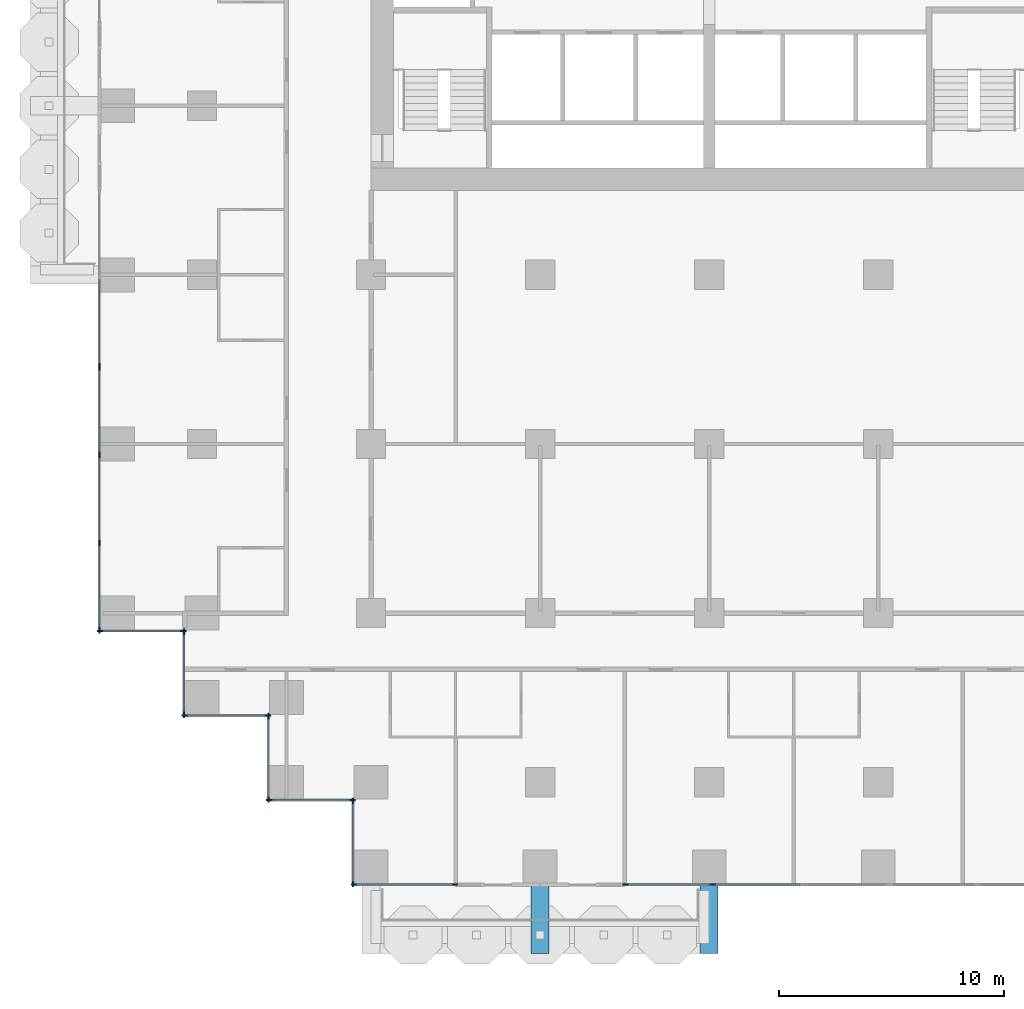
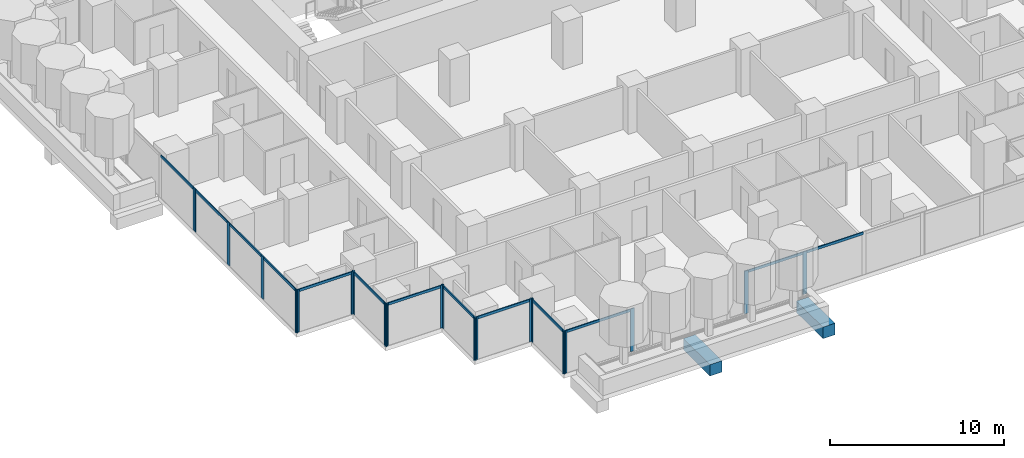
# One storey, part 2 of 18: 34 members, 2 beams, 10 elements without a shape of their own.
"""IFC4 building model written with IfcOpenShell, lengths in metres."""

from ifc_helpers import new_model, si_unit, direction, frame, origin, origin_2d, place, context, subcontext, project, spatial, rectangle, extrude, material, material_profile, profile_set, type_object, element, aggregate, save


model = new_model("IFC4")

# Units and contexts
model_context = context("Model", 3, precision=1e-05, world=origin(), true_north=direction((0.0, 1.0)))
body_context = subcontext(model_context, "Body", "Model", "MODEL_VIEW")
ifc_project = project(units=[si_unit("LENGTHUNIT", "METRE"), si_unit("AREAUNIT", "SQUARE_METRE"), si_unit("VOLUMEUNIT", "CUBIC_METRE"), si_unit("PLANEANGLEUNIT", "RADIAN"), si_unit("MASSUNIT", "GRAM", prefix="KILO")], contexts=[model_context])

# Site, building, storey
site_placement = place(None, origin())
site = spatial("IfcSite", under=ifc_project, at=site_placement, CompositionType="ELEMENT")
building_placement = place(site_placement, origin())
building = spatial("IfcBuilding", under=site, at=building_placement, Name="Pilkhan Gate Tower", CompositionType="ELEMENT")
storey_placement = place(building_placement, frame((0.0, 0.0, 56.0)))
storey = spatial("IfcBuildingStorey", under=building, at=storey_placement, Name="L11", CompositionType="ELEMENT", Elevation=56.0)

# Beams
ifc_material_1 = material(Name="Concrete C50/60", Category="concrete")
ifc_material_profile_1 = material_profile(ifc_material_1, rectangle(XDim=0.800048828125, YDim=0.800048828125, at=origin_2d()), Name="RC 800x800")
ifc_profile_set_1 = profile_set([ifc_material_profile_1], Name="Concrete C50/60")
beam_type = type_object("IfcBeamType", Name="Cantilever beam CB2 RC 800x800 C50/60", PredefinedType="BEAM", material=ifc_profile_set_1)
for number, where, z_axis, x_axis, name in (
    (1, (67.5, 40.449951171875, -0.699951171875), (0.0, -1.0, 0.0), (1.0, 0.0, 0.0), "Balcony beam S.2 L11"),
    (2, (75.0, 40.449951171875, -0.699951171875), (0.0, -1.0, 0.0), (1.0, 0.0, 0.0), "Balcony beam S.3 L11"),
):
    element("IfcBeam", number, at=place(storey_placement, frame(where, z_axis=z_axis, x_axis=x_axis)), inside=storey, type_object=beam_type, Name=name, PredefinedType="BEAM", context=body_context, shape_type="SweptSolid", body=[
        extrude(rectangle(XDim=0.800048828125, YDim=0.800048828125, at=origin_2d()), origin(), (0.0, 0.0, 1.0), 3.050048828125),
    ])

# Curtain wall, members
ifc_material_2 = material(Name="Pale anodised aluminium, clear low-iron double glazing", Category="aluminium")
curtain_wall_type = type_object("IfcCurtainWallType", Name="Hotel unitised curtain wall CW-H", PredefinedType="USERDEFINED", material=ifc_material_2)
curtain_wall_1_placement = place(storey_placement, origin())
curtain_wall_1 = element("IfcCurtainWall", 3, at=curtain_wall_1_placement, inside=storey, type_object=curtain_wall_type, Name="Hotel unitised curtain wall CW-H L11 W", ObjectType="UNITISED CURTAIN WALL", PredefinedType="USERDEFINED")
ifc_material_3 = material(Name="Pale anodised aluminium", Category="aluminium")
ifc_material_profile_2 = material_profile(ifc_material_3, rectangle(XDim=0.06494140625, YDim=0.25, at=origin_2d()), Name="Mullion 250x65")
ifc_profile_set_2 = profile_set([ifc_material_profile_2], Name="Pale anodised aluminium")
member_type_1 = type_object("IfcMemberType", Name="Mullion CW-H 250x65", PredefinedType="MULLION", material=ifc_profile_set_2)
member_1_placement = place(storey_placement, frame((47.955078125, 51.737548828125, 0.0), z_axis=(0.0, 0.0, 1.0), x_axis=(-1.0, 0.0, 0.0)))
member_1 = element("IfcMember", 4, at=member_1_placement, type_object=member_type_1, Name="CW-H mullion 1", PredefinedType="MULLION", context=body_context, shape_type="SweptSolid", body=[
    extrude(rectangle(XDim=0.06494140625, YDim=0.25, at=origin_2d()), origin(), (0.0, 0.0, 1.0), 3.0),
])
member_2_placement = place(storey_placement, frame((47.955078125, 55.614013671875, 0.0), z_axis=(0.0, 0.0, 1.0), x_axis=(-1.0, 0.0, 0.0)))
member_2 = element("IfcMember", 5, at=member_2_placement, type_object=member_type_1, Name="CW-H mullion 2", PredefinedType="MULLION", context=body_context, shape_type="SweptSolid", body=[
    extrude(rectangle(XDim=0.06494140625, YDim=0.25, at=origin_2d()), origin(), (0.0, 0.0, 1.0), 3.0),
])
member_3_placement = place(storey_placement, frame((47.955078125, 59.52294921875, 0.0), z_axis=(0.0, 0.0, 1.0), x_axis=(-1.0, 0.0, 0.0)))
member_3 = element("IfcMember", 6, at=member_3_placement, type_object=member_type_1, Name="CW-H mullion 3", PredefinedType="MULLION", context=body_context, shape_type="SweptSolid", body=[
    extrude(rectangle(XDim=0.06494140625, YDim=0.25, at=origin_2d()), origin(), (0.0, 0.0, 1.0), 3.0),
])
member_4_placement = place(storey_placement, frame((47.955078125, 63.3994140625, 0.0), z_axis=(0.0, 0.0, 1.0), x_axis=(-1.0, 0.0, 0.0)))
member_4 = element("IfcMember", 7, at=member_4_placement, type_object=member_type_1, Name="CW-H mullion 4", PredefinedType="MULLION", context=body_context, shape_type="SweptSolid", body=[
    extrude(rectangle(XDim=0.06494140625, YDim=0.25, at=origin_2d()), origin(), (0.0, 0.0, 1.0), 3.0),
])

# Curtain wall, member
curtain_wall_2_placement = place(storey_placement, origin())
curtain_wall_2 = element("IfcCurtainWall", 8, at=curtain_wall_2_placement, inside=storey, type_object=curtain_wall_type, Name="Hotel unitised curtain wall CW-H L11 W", ObjectType="UNITISED CURTAIN WALL", PredefinedType="USERDEFINED")
member_5_placement = place(storey_placement, frame((47.955078125, 63.464599609375, 0.0), z_axis=(0.0, 0.0, 1.0), x_axis=(-1.0, 0.0, 0.0)))
member_5 = element("IfcMember", 9, at=member_5_placement, type_object=member_type_1, Name="CW-H mullion 1", PredefinedType="MULLION", context=body_context, shape_type="SweptSolid", body=[
    extrude(rectangle(XDim=0.06494140625, YDim=0.25, at=origin_2d()), origin(), (0.0, 0.0, 1.0), 3.0),
])

# Curtain wall, members
curtain_wall_3_placement = place(storey_placement, origin())
curtain_wall_3 = element("IfcCurtainWall", 10, at=curtain_wall_3_placement, inside=storey, type_object=curtain_wall_type, Name="Hotel unitised curtain wall CW-H L11 S", ObjectType="UNITISED CURTAIN WALL", PredefinedType="USERDEFINED")
member_6_placement = place(storey_placement, frame((47.987548828125, 51.705078125, 0.0), z_axis=(0.0, 0.0, 1.0), x_axis=(0.0, 1.0, 0.0)))
member_6 = element("IfcMember", 11, at=member_6_placement, type_object=member_type_1, Name="CW-H mullion 1", PredefinedType="MULLION", context=body_context, shape_type="SweptSolid", body=[
    extrude(rectangle(XDim=0.06494140625, YDim=0.25, at=origin_2d()), origin(), (0.0, 0.0, 1.0), 3.0),
])
member_7_placement = place(storey_placement, frame((51.672607421875, 51.705078125, 0.0), z_axis=(0.0, 0.0, 1.0), x_axis=(0.0, 1.0, 0.0)))
member_7 = element("IfcMember", 12, at=member_7_placement, type_object=member_type_1, Name="CW-H mullion 2", PredefinedType="MULLION", context=body_context, shape_type="SweptSolid", body=[
    extrude(rectangle(XDim=0.06494140625, YDim=0.25, at=origin_2d()), origin(), (0.0, 0.0, 1.0), 3.0),
])

curtain_wall_4_placement = place(storey_placement, origin())
curtain_wall_4 = element("IfcCurtainWall", 13, at=curtain_wall_4_placement, inside=storey, type_object=curtain_wall_type, Name="Hotel unitised curtain wall CW-H L11 W", ObjectType="UNITISED CURTAIN WALL", PredefinedType="USERDEFINED")
member_8_placement = place(storey_placement, frame((51.705078125, 47.987548828125, 0.0), z_axis=(0.0, 0.0, 1.0), x_axis=(-1.0, 0.0, 0.0)))
member_8 = element("IfcMember", 14, at=member_8_placement, type_object=member_type_1, Name="CW-H mullion 1", PredefinedType="MULLION", context=body_context, shape_type="SweptSolid", body=[
    extrude(rectangle(XDim=0.06494140625, YDim=0.25, at=origin_2d()), origin(), (0.0, 0.0, 1.0), 3.0),
])
member_9_placement = place(storey_placement, frame((51.705078125, 51.672607421875, 0.0), z_axis=(0.0, 0.0, 1.0), x_axis=(-1.0, 0.0, 0.0)))
member_9 = element("IfcMember", 15, at=member_9_placement, type_object=member_type_1, Name="CW-H mullion 2", PredefinedType="MULLION", context=body_context, shape_type="SweptSolid", body=[
    extrude(rectangle(XDim=0.06494140625, YDim=0.25, at=origin_2d()), origin(), (0.0, 0.0, 1.0), 3.0),
])

curtain_wall_5_placement = place(storey_placement, origin())
curtain_wall_5 = element("IfcCurtainWall", 16, at=curtain_wall_5_placement, inside=storey, type_object=curtain_wall_type, Name="Hotel unitised curtain wall CW-H L11 S", ObjectType="UNITISED CURTAIN WALL", PredefinedType="USERDEFINED")
member_10_placement = place(storey_placement, frame((51.737548828125, 47.955078125, 0.0), z_axis=(0.0, 0.0, 1.0), x_axis=(0.0, 1.0, 0.0)))
member_10 = element("IfcMember", 17, at=member_10_placement, type_object=member_type_1, Name="CW-H mullion 1", PredefinedType="MULLION", context=body_context, shape_type="SweptSolid", body=[
    extrude(rectangle(XDim=0.06494140625, YDim=0.25, at=origin_2d()), origin(), (0.0, 0.0, 1.0), 3.0),
])
member_11_placement = place(storey_placement, frame((55.422607421875, 47.955078125, 0.0), z_axis=(0.0, 0.0, 1.0), x_axis=(0.0, 1.0, 0.0)))
member_11 = element("IfcMember", 18, at=member_11_placement, type_object=member_type_1, Name="CW-H mullion 2", PredefinedType="MULLION", context=body_context, shape_type="SweptSolid", body=[
    extrude(rectangle(XDim=0.06494140625, YDim=0.25, at=origin_2d()), origin(), (0.0, 0.0, 1.0), 3.0),
])

curtain_wall_6_placement = place(storey_placement, origin())
curtain_wall_6 = element("IfcCurtainWall", 19, at=curtain_wall_6_placement, inside=storey, type_object=curtain_wall_type, Name="Hotel unitised curtain wall CW-H L11 W", ObjectType="UNITISED CURTAIN WALL", PredefinedType="USERDEFINED")
member_12_placement = place(storey_placement, frame((55.455078125, 44.237548828125, 0.0), z_axis=(0.0, 0.0, 1.0), x_axis=(-1.0, 0.0, 0.0)))
member_12 = element("IfcMember", 20, at=member_12_placement, type_object=member_type_1, Name="CW-H mullion 1", PredefinedType="MULLION", context=body_context, shape_type="SweptSolid", body=[
    extrude(rectangle(XDim=0.06494140625, YDim=0.25, at=origin_2d()), origin(), (0.0, 0.0, 1.0), 3.0),
])
member_13_placement = place(storey_placement, frame((55.455078125, 47.922607421875, 0.0), z_axis=(0.0, 0.0, 1.0), x_axis=(-1.0, 0.0, 0.0)))
member_13 = element("IfcMember", 21, at=member_13_placement, type_object=member_type_1, Name="CW-H mullion 2", PredefinedType="MULLION", context=body_context, shape_type="SweptSolid", body=[
    extrude(rectangle(XDim=0.06494140625, YDim=0.25, at=origin_2d()), origin(), (0.0, 0.0, 1.0), 3.0),
])

curtain_wall_7_placement = place(storey_placement, origin())
curtain_wall_7 = element("IfcCurtainWall", 22, at=curtain_wall_7_placement, inside=storey, type_object=curtain_wall_type, Name="Hotel unitised curtain wall CW-H L11 S", ObjectType="UNITISED CURTAIN WALL", PredefinedType="USERDEFINED")
member_14_placement = place(storey_placement, frame((55.487548828125, 44.205078125, 0.0), z_axis=(0.0, 0.0, 1.0), x_axis=(0.0, 1.0, 0.0)))
member_14 = element("IfcMember", 23, at=member_14_placement, type_object=member_type_1, Name="CW-H mullion 1", PredefinedType="MULLION", context=body_context, shape_type="SweptSolid", body=[
    extrude(rectangle(XDim=0.06494140625, YDim=0.25, at=origin_2d()), origin(), (0.0, 0.0, 1.0), 3.0),
])
member_15_placement = place(storey_placement, frame((59.172607421875, 44.205078125, 0.0), z_axis=(0.0, 0.0, 1.0), x_axis=(0.0, 1.0, 0.0)))
member_15 = element("IfcMember", 24, at=member_15_placement, type_object=member_type_1, Name="CW-H mullion 2", PredefinedType="MULLION", context=body_context, shape_type="SweptSolid", body=[
    extrude(rectangle(XDim=0.06494140625, YDim=0.25, at=origin_2d()), origin(), (0.0, 0.0, 1.0), 3.0),
])

curtain_wall_8_placement = place(storey_placement, origin())
curtain_wall_8 = element("IfcCurtainWall", 25, at=curtain_wall_8_placement, inside=storey, type_object=curtain_wall_type, Name="Hotel unitised curtain wall CW-H L11 W", ObjectType="UNITISED CURTAIN WALL", PredefinedType="USERDEFINED")
member_16_placement = place(storey_placement, frame((59.205078125, 40.487548828125, 0.0), z_axis=(0.0, 0.0, 1.0), x_axis=(-1.0, 0.0, 0.0)))
member_16 = element("IfcMember", 26, at=member_16_placement, type_object=member_type_1, Name="CW-H mullion 1", PredefinedType="MULLION", context=body_context, shape_type="SweptSolid", body=[
    extrude(rectangle(XDim=0.06494140625, YDim=0.25, at=origin_2d()), origin(), (0.0, 0.0, 1.0), 3.0),
])
member_17_placement = place(storey_placement, frame((59.205078125, 44.172607421875, 0.0), z_axis=(0.0, 0.0, 1.0), x_axis=(-1.0, 0.0, 0.0)))
member_17 = element("IfcMember", 27, at=member_17_placement, type_object=member_type_1, Name="CW-H mullion 2", PredefinedType="MULLION", context=body_context, shape_type="SweptSolid", body=[
    extrude(rectangle(XDim=0.06494140625, YDim=0.25, at=origin_2d()), origin(), (0.0, 0.0, 1.0), 3.0),
])

curtain_wall_9_placement = place(storey_placement, origin())
curtain_wall_9 = element("IfcCurtainWall", 28, at=curtain_wall_9_placement, inside=storey, type_object=curtain_wall_type, Name="Hotel unitised curtain wall CW-H L11 S", ObjectType="UNITISED CURTAIN WALL", PredefinedType="USERDEFINED")
member_18_placement = place(storey_placement, frame((59.237548828125, 40.455078125, 0.0), z_axis=(0.0, 0.0, 1.0), x_axis=(0.0, 1.0, 0.0)))
member_18 = element("IfcMember", 29, at=member_18_placement, type_object=member_type_1, Name="CW-H mullion 1", PredefinedType="MULLION", context=body_context, shape_type="SweptSolid", body=[
    extrude(rectangle(XDim=0.06494140625, YDim=0.25, at=origin_2d()), origin(), (0.0, 0.0, 1.0), 3.0),
])
member_19_placement = place(storey_placement, frame((63.717529296875, 40.455078125, 0.0), z_axis=(0.0, 0.0, 1.0), x_axis=(0.0, 1.0, 0.0)))
member_19 = element("IfcMember", 30, at=member_19_placement, type_object=member_type_1, Name="CW-H mullion 2", PredefinedType="MULLION", context=body_context, shape_type="SweptSolid", body=[
    extrude(rectangle(XDim=0.06494140625, YDim=0.25, at=origin_2d()), origin(), (0.0, 0.0, 1.0), 3.0),
])

curtain_wall_10_placement = place(storey_placement, origin())
curtain_wall_10 = element("IfcCurtainWall", 31, at=curtain_wall_10_placement, inside=storey, type_object=curtain_wall_type, Name="Hotel unitised curtain wall CW-H L11 S", ObjectType="UNITISED CURTAIN WALL", PredefinedType="USERDEFINED")
member_20_placement = place(storey_placement, frame((71.282470703125, 40.455078125, 0.0), z_axis=(0.0, 0.0, 1.0), x_axis=(0.0, 1.0, 0.0)))
member_20 = element("IfcMember", 32, at=member_20_placement, type_object=member_type_1, Name="CW-H mullion 1", PredefinedType="MULLION", context=body_context, shape_type="SweptSolid", body=[
    extrude(rectangle(XDim=0.06494140625, YDim=0.25, at=origin_2d()), origin(), (0.0, 0.0, 1.0), 3.0),
])
member_21_placement = place(storey_placement, frame((75.158935546875, 40.455078125, 0.0), z_axis=(0.0, 0.0, 1.0), x_axis=(0.0, 1.0, 0.0)))
member_21 = element("IfcMember", 33, at=member_21_placement, type_object=member_type_1, Name="CW-H mullion 2", PredefinedType="MULLION", context=body_context, shape_type="SweptSolid", body=[
    extrude(rectangle(XDim=0.06494140625, YDim=0.25, at=origin_2d()), origin(), (0.0, 0.0, 1.0), 3.0),
])

# Member
ifc_material_profile_3 = material_profile(ifc_material_3, rectangle(XDim=0.06494140625, YDim=0.179931640625, at=origin_2d()), Name="Transom 180x65")
ifc_profile_set_3 = profile_set([ifc_material_profile_3], Name="Pale anodised aluminium")
member_type_2 = type_object("IfcMemberType", Name="Transom CW-H 180x65", PredefinedType="USERDEFINED", material=ifc_profile_set_3)
member_22_placement = place(storey_placement, frame((47.955078125, 51.77001953125, 2.909912109375), z_axis=(0.0, 1.0, 0.0), x_axis=(-1.0, 0.0, 0.0)))
member_22 = element("IfcMember", 34, at=member_22_placement, type_object=member_type_2, Name="CW-H transom 1", ObjectType="TRANSOM", PredefinedType="USERDEFINED", context=body_context, shape_type="SweptSolid", body=[
    extrude(rectangle(XDim=0.06494140625, YDim=0.179931640625, at=origin_2d()), origin(), (0.0, 0.0, 1.0), 3.8115234375),
])

member_23_placement = place(storey_placement, frame((47.955078125, 55.646484375, 2.909912109375), z_axis=(0.0, 1.0, 0.0), x_axis=(-1.0, 0.0, 0.0)))
member_23 = element("IfcMember", 35, at=member_23_placement, type_object=member_type_2, Name="CW-H transom 2", ObjectType="TRANSOM", PredefinedType="USERDEFINED", context=body_context, shape_type="SweptSolid", body=[
    extrude(rectangle(XDim=0.06494140625, YDim=0.179931640625, at=origin_2d()), origin(), (0.0, 0.0, 1.0), 3.843994140625),
])

member_24_placement = place(storey_placement, frame((47.955078125, 59.555419921875, 2.909912109375), z_axis=(0.0, 1.0, 0.0), x_axis=(-1.0, 0.0, 0.0)))
member_24 = element("IfcMember", 36, at=member_24_placement, type_object=member_type_2, Name="CW-H transom 3", ObjectType="TRANSOM", PredefinedType="USERDEFINED", context=body_context, shape_type="SweptSolid", body=[
    extrude(rectangle(XDim=0.06494140625, YDim=0.179931640625, at=origin_2d()), origin(), (0.0, 0.0, 1.0), 3.8115234375),
])

aggregate(curtain_wall_1, [member_1, member_2, member_3, member_4, member_22, member_23, member_24])

member_25_placement = place(storey_placement, frame((47.955078125, 63.4970703125, 2.909912109375), z_axis=(0.0, 1.0, 0.0), x_axis=(-1.0, 0.0, 0.0)))
member_25 = element("IfcMember", 37, at=member_25_placement, type_object=member_type_2, Name="CW-H transom 1", ObjectType="TRANSOM", PredefinedType="USERDEFINED", context=body_context, shape_type="SweptSolid", body=[
    extrude(rectangle(XDim=0.06494140625, YDim=0.179931640625, at=origin_2d()), origin(), (0.0, 0.0, 1.0), 3.8115234375),
])

aggregate(curtain_wall_2, [member_5, member_25])

member_26_placement = place(storey_placement, frame((48.02001953125, 51.705078125, 2.909912109375), z_axis=(1.0, 0.0, 0.0), x_axis=(0.0, 1.0, 0.0)))
member_26 = element("IfcMember", 38, at=member_26_placement, type_object=member_type_2, Name="CW-H transom 1", ObjectType="TRANSOM", PredefinedType="USERDEFINED", context=body_context, shape_type="SweptSolid", body=[
    extrude(rectangle(XDim=0.06494140625, YDim=0.179931640625, at=origin_2d()), origin(), (0.0, 0.0, 1.0), 3.619873046875),
])

aggregate(curtain_wall_3, [member_6, member_7, member_26])

member_27_placement = place(storey_placement, frame((51.705078125, 48.02001953125, 2.909912109375), z_axis=(0.0, 1.0, 0.0), x_axis=(-1.0, 0.0, 0.0)))
member_27 = element("IfcMember", 39, at=member_27_placement, type_object=member_type_2, Name="CW-H transom 1", ObjectType="TRANSOM", PredefinedType="USERDEFINED", context=body_context, shape_type="SweptSolid", body=[
    extrude(rectangle(XDim=0.06494140625, YDim=0.179931640625, at=origin_2d()), origin(), (0.0, 0.0, 1.0), 3.619873046875),
])

aggregate(curtain_wall_4, [member_8, member_9, member_27])

member_28_placement = place(storey_placement, frame((51.77001953125, 47.955078125, 2.909912109375), z_axis=(1.0, 0.0, 0.0), x_axis=(0.0, 1.0, 0.0)))
member_28 = element("IfcMember", 40, at=member_28_placement, type_object=member_type_2, Name="CW-H transom 1", ObjectType="TRANSOM", PredefinedType="USERDEFINED", context=body_context, shape_type="SweptSolid", body=[
    extrude(rectangle(XDim=0.06494140625, YDim=0.179931640625, at=origin_2d()), origin(), (0.0, 0.0, 1.0), 3.619873046875),
])

aggregate(curtain_wall_5, [member_10, member_11, member_28])

member_29_placement = place(storey_placement, frame((55.455078125, 44.27001953125, 2.909912109375), z_axis=(0.0, 1.0, 0.0), x_axis=(-1.0, 0.0, 0.0)))
member_29 = element("IfcMember", 41, at=member_29_placement, type_object=member_type_2, Name="CW-H transom 1", ObjectType="TRANSOM", PredefinedType="USERDEFINED", context=body_context, shape_type="SweptSolid", body=[
    extrude(rectangle(XDim=0.06494140625, YDim=0.179931640625, at=origin_2d()), origin(), (0.0, 0.0, 1.0), 3.619873046875),
])

aggregate(curtain_wall_6, [member_12, member_13, member_29])

member_30_placement = place(storey_placement, frame((55.52001953125, 44.205078125, 2.909912109375), z_axis=(1.0, 0.0, 0.0), x_axis=(0.0, 1.0, 0.0)))
member_30 = element("IfcMember", 42, at=member_30_placement, type_object=member_type_2, Name="CW-H transom 1", ObjectType="TRANSOM", PredefinedType="USERDEFINED", context=body_context, shape_type="SweptSolid", body=[
    extrude(rectangle(XDim=0.06494140625, YDim=0.179931640625, at=origin_2d()), origin(), (0.0, 0.0, 1.0), 3.619873046875),
])

aggregate(curtain_wall_7, [member_14, member_15, member_30])

member_31_placement = place(storey_placement, frame((59.205078125, 40.52001953125, 2.909912109375), z_axis=(0.0, 1.0, 0.0), x_axis=(-1.0, 0.0, 0.0)))
member_31 = element("IfcMember", 43, at=member_31_placement, type_object=member_type_2, Name="CW-H transom 1", ObjectType="TRANSOM", PredefinedType="USERDEFINED", context=body_context, shape_type="SweptSolid", body=[
    extrude(rectangle(XDim=0.06494140625, YDim=0.179931640625, at=origin_2d()), origin(), (0.0, 0.0, 1.0), 3.619873046875),
])

aggregate(curtain_wall_8, [member_16, member_17, member_31])

member_32_placement = place(storey_placement, frame((59.27001953125, 40.455078125, 2.909912109375), z_axis=(1.0, 0.0, 0.0), x_axis=(0.0, 1.0, 0.0)))
member_32 = element("IfcMember", 44, at=member_32_placement, type_object=member_type_2, Name="CW-H transom 1", ObjectType="TRANSOM", PredefinedType="USERDEFINED", context=body_context, shape_type="SweptSolid", body=[
    extrude(rectangle(XDim=0.06494140625, YDim=0.179931640625, at=origin_2d()), origin(), (0.0, 0.0, 1.0), 4.4150390625),
])

aggregate(curtain_wall_9, [member_18, member_19, member_32])

member_33_placement = place(storey_placement, frame((71.31494140625, 40.455078125, 2.909912109375), z_axis=(1.0, 0.0, 0.0), x_axis=(0.0, 1.0, 0.0)))
member_33 = element("IfcMember", 45, at=member_33_placement, type_object=member_type_2, Name="CW-H transom 1", ObjectType="TRANSOM", PredefinedType="USERDEFINED", context=body_context, shape_type="SweptSolid", body=[
    extrude(rectangle(XDim=0.06494140625, YDim=0.179931640625, at=origin_2d()), origin(), (0.0, 0.0, 1.0), 3.8115234375),
])

member_34_placement = place(storey_placement, frame((75.19140625, 40.455078125, 2.909912109375), z_axis=(1.0, 0.0, 0.0), x_axis=(0.0, 1.0, 0.0)))
member_34 = element("IfcMember", 46, at=member_34_placement, type_object=member_type_2, Name="CW-H transom 2", ObjectType="TRANSOM", PredefinedType="USERDEFINED", context=body_context, shape_type="SweptSolid", body=[
    extrude(rectangle(XDim=0.06494140625, YDim=0.179931640625, at=origin_2d()), origin(), (0.0, 0.0, 1.0), 3.843994140625),
])

aggregate(curtain_wall_10, [member_20, member_21, member_33, member_34])

save(model, "model.ifc")
